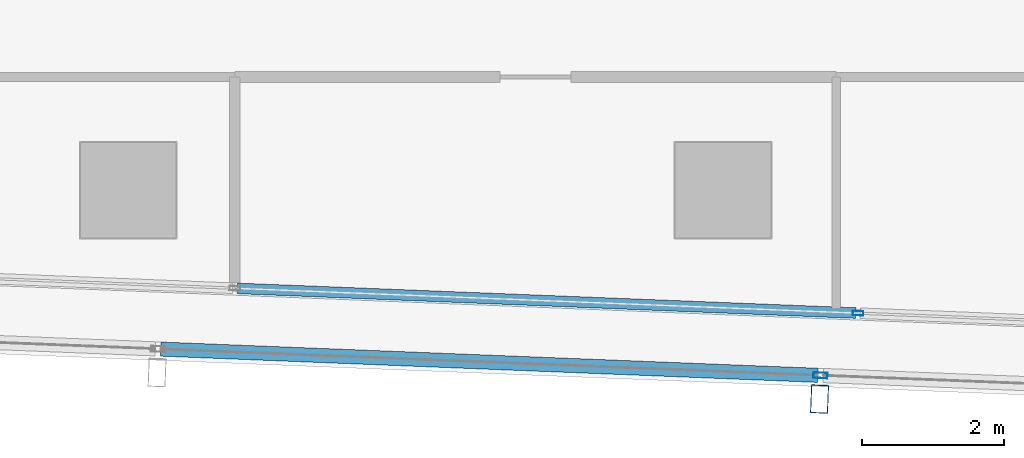
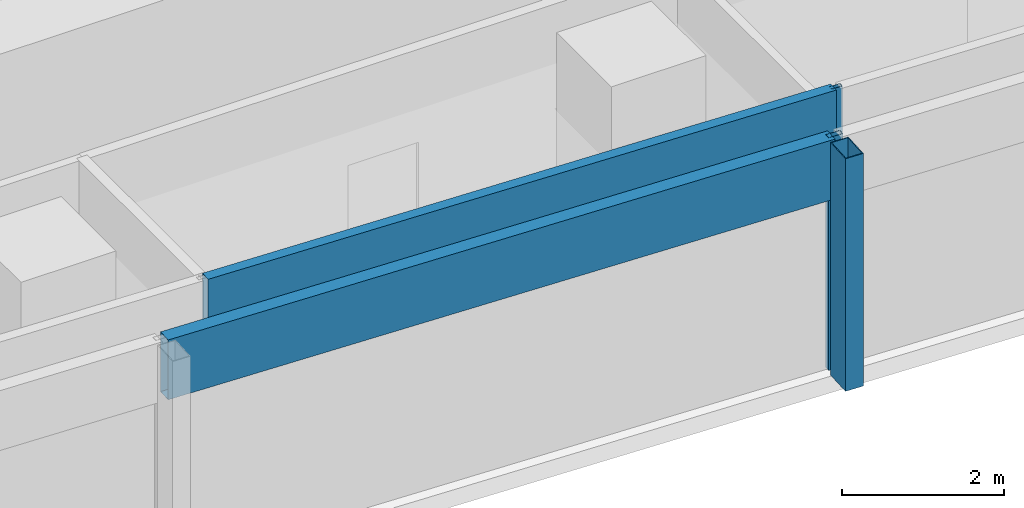
# One storey, part 7 of 35: 5 members, 2 elements without a shape of their own.
"""IFC4 building model written with IfcOpenShell, lengths in metres."""

from ifc_helpers import new_model, si_unit, direction, frame, origin, origin_2d, place, context, subcontext, project, spatial, hollow_rectangle, extrude, material, material_profile, profile_set, type_object, element, aggregate, save


model = new_model("IFC4")

# Units and contexts
model_context = context("Model", 3, precision=1e-05, world=origin(), true_north=direction((0.0, 1.0)))
body_context = subcontext(model_context, "Body", "Model", "MODEL_VIEW")
ifc_project = project(units=[si_unit("LENGTHUNIT", "METRE"), si_unit("AREAUNIT", "SQUARE_METRE"), si_unit("VOLUMEUNIT", "CUBIC_METRE"), si_unit("PLANEANGLEUNIT", "RADIAN"), si_unit("MASSUNIT", "GRAM", prefix="KILO")], contexts=[model_context])

# Site, building, storey
site_placement = place(None, origin())
site = spatial("IfcSite", under=ifc_project, at=site_placement, CompositionType="ELEMENT")
building_placement = place(site_placement, origin())
building = spatial("IfcBuilding", under=site, at=building_placement, Name="Rekha Terrace Tower", CompositionType="ELEMENT")
storey_placement = place(building_placement, frame((0.0, 0.0, 191.449951171875)))
storey = spatial("IfcBuildingStorey", under=building, at=storey_placement, Name="L48", CompositionType="ELEMENT", Elevation=191.449951171875)

# Curtain wall, member
ifc_material_1 = material(Name="Aluminium framing", Category="aluminium")
curtain_wall_type_1 = type_object("IfcCurtainWallType", Name="CW2 double skin outer glazing", PredefinedType="USERDEFINED", material=ifc_material_1)
curtain_wall_1_placement = place(storey_placement, origin())
curtain_wall_1 = element("IfcCurtainWall", 1, at=curtain_wall_1_placement, inside=storey, type_object=curtain_wall_type_1, Name="CW2 double skin outer glazing", ObjectType="DOUBLE SKIN OUTER GLAZING", PredefinedType="USERDEFINED")
ifc_material_2 = material(Name="Steel S355 with fluorocarbon finish", Category="steel")
ifc_material_profile_1 = material_profile(ifc_material_2, hollow_rectangle(XDim=0.25, YDim=0.39990234375, WallThickness=0.012451171875, at=origin_2d()), Name="RHS400x250x12.5")
ifc_profile_set_1 = profile_set([ifc_material_profile_1], Name="Steel S355 with fluorocarbon finish")
member_type_1 = type_object("IfcMemberType", Name="BL1 facade blade RHS 400 x 250", PredefinedType="USERDEFINED", material=ifc_profile_set_1)
member_1_placement = place(storey_placement, frame((34.9638671875, 13.84912109375, 0.0), z_axis=(0.0, 0.0, 1.0), x_axis=(0.999204797763, -0.039871946621, 0.0)))
member_1 = element("IfcMember", 2, at=member_1_placement, type_object=member_type_1, Name="Facade blade", ObjectType="FACADE BLADE", PredefinedType="USERDEFINED", context=body_context, shape_type="SweptSolid", body=[
    extrude(hollow_rectangle(XDim=0.25, YDim=0.39990234375, WallThickness=0.012451171875, at=origin_2d()), origin(), (0.0, 0.0, 1.0), 3.5),
])

# Curtain wall, members
curtain_wall_type_2 = type_object("IfcCurtainWallType", Name="CW1 double skin inner glazing", PredefinedType="USERDEFINED", material=ifc_material_1)
curtain_wall_2_placement = place(storey_placement, origin())
curtain_wall_2 = element("IfcCurtainWall", 3, at=curtain_wall_2_placement, inside=storey, type_object=curtain_wall_type_2, Name="CW1 double skin inner glazing", ObjectType="DOUBLE SKIN INNER GLAZING", PredefinedType="USERDEFINED")
ifc_material_3 = material(Name="Aluminium mullion section", Category="aluminium")
ifc_material_profile_2 = material_profile(ifc_material_3, hollow_rectangle(XDim=0.06494140625, YDim=0.14990234375, WallThickness=0.00390625, at=origin_2d()), Name="AL RHS 65x150")
ifc_profile_set_2 = profile_set([ifc_material_profile_2], Name="Aluminium mullion section")
member_type_2 = type_object("IfcMemberType", Name="CW1 mullion RHS 65 x 150", PredefinedType="MULLION", material=ifc_profile_set_2)
member_2_placement = place(storey_placement, frame((35.507568359375, 15.063232421875, 0.0), z_axis=(0.0, 0.0, 1.0), x_axis=(0.039872497061, 0.999204775798, 0.0)))
member_2 = element("IfcMember", 4, at=member_2_placement, type_object=member_type_2, Name="CW1 mullion 4", PredefinedType="MULLION", context=body_context, shape_type="SweptSolid", body=[
    extrude(hollow_rectangle(XDim=0.06494140625, YDim=0.14990234375, WallThickness=0.00390625, at=origin_2d()), origin(), (0.0, 0.0, 1.0), 3.5),
])
ifc_material_4 = material(Name="Insulated aluminium spandrel box", Category="aluminium")
ifc_material_profile_3 = material_profile(ifc_material_4, hollow_rectangle(XDim=0.14990234375, YDim=0.89990234375, WallThickness=0.0029296875, at=origin_2d()), Name="AL SPANDREL BOX 150x900")
ifc_profile_set_3 = profile_set([ifc_material_profile_3], Name="Insulated aluminium spandrel box")
member_type_3 = type_object("IfcMemberType", Name="CW1 spandrel transom 150 x 900", PredefinedType="USERDEFINED", material=ifc_profile_set_3)
member_3_placement = place(storey_placement, frame((26.73583984375, 15.413330078125, 3.050048828125), z_axis=(0.999205233714, -0.039861020051, 0.0), x_axis=(0.039861020051, 0.999205233714, 0.0)))
member_3 = element("IfcMember", 5, at=member_3_placement, type_object=member_type_3, Name="CW1 spandrel transom 3", ObjectType="TRANSOM", PredefinedType="USERDEFINED", context=body_context, shape_type="SweptSolid", body=[
    extrude(hollow_rectangle(XDim=0.14990234375, YDim=0.89990234375, WallThickness=0.0029296875, at=origin_2d()), origin(), (0.0, 0.0, 1.0), 8.74609375),
])
aggregate(curtain_wall_2, [member_2, member_3])

# Member
ifc_material_profile_4 = material_profile(ifc_material_3, hollow_rectangle(XDim=0.080078125, YDim=0.199951171875, WallThickness=0.00390625, at=origin_2d()), Name="AL RHS 80x200")
ifc_profile_set_4 = profile_set([ifc_material_profile_4], Name="Aluminium mullion section")
member_type_4 = type_object("IfcMemberType", Name="CW2 mullion RHS 80 x 200", PredefinedType="MULLION", material=ifc_profile_set_4)
member_4_placement = place(storey_placement, frame((34.97705078125, 14.183837890625, 0.0), z_axis=(0.0, 0.0, 1.0), x_axis=(0.039872497044, 0.999204775799, 0.0)))
member_4 = element("IfcMember", 6, at=member_4_placement, type_object=member_type_4, Name="CW2 mullion 4", PredefinedType="MULLION", context=body_context, shape_type="SweptSolid", body=[
    extrude(hollow_rectangle(XDim=0.080078125, YDim=0.199951171875, WallThickness=0.00390625, at=origin_2d()), origin(), (0.0, 0.0, 1.0), 3.5),
])

ifc_material_profile_5 = material_profile(ifc_material_4, hollow_rectangle(XDim=0.199951171875, YDim=0.89990234375, WallThickness=0.0029296875, at=origin_2d()), Name="AL SPANDREL BOX 200x900")
ifc_profile_set_5 = profile_set([ifc_material_profile_5], Name="Insulated aluminium spandrel box")
member_type_5 = type_object("IfcMemberType", Name="CW2 spandrel transom 200 x 900", PredefinedType="USERDEFINED", material=ifc_profile_set_5)
member_5_placement = place(storey_placement, frame((25.658447265625, 14.5556640625, 3.050048828125), z_axis=(0.999204356934, -0.039882992408, 0.0), x_axis=(0.039882992408, 0.999204356934, 0.0)))
member_5 = element("IfcMember", 7, at=member_5_placement, type_object=member_type_5, Name="CW2 spandrel transom 3", ObjectType="TRANSOM", PredefinedType="USERDEFINED", context=body_context, shape_type="SweptSolid", body=[
    extrude(hollow_rectangle(XDim=0.199951171875, YDim=0.89990234375, WallThickness=0.0029296875, at=origin_2d()), origin(), (0.0, 0.0, 1.0), 9.2861328125),
])

aggregate(curtain_wall_1, [member_4, member_5, member_1])

save(model, "model.ifc")
